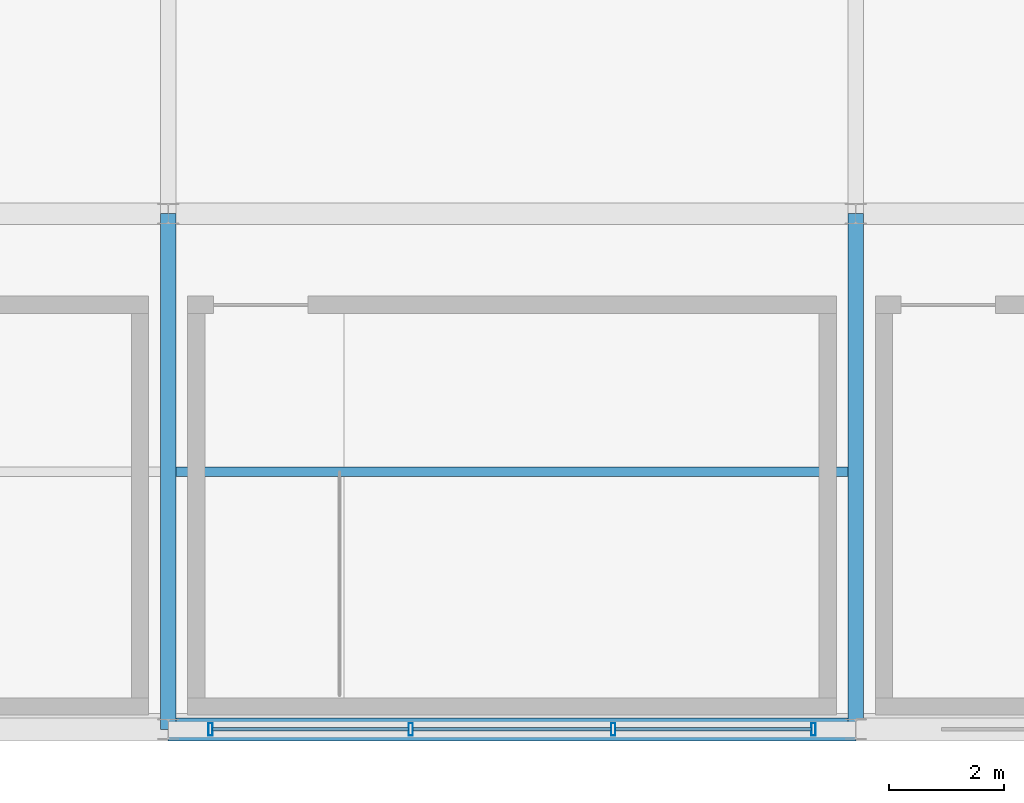
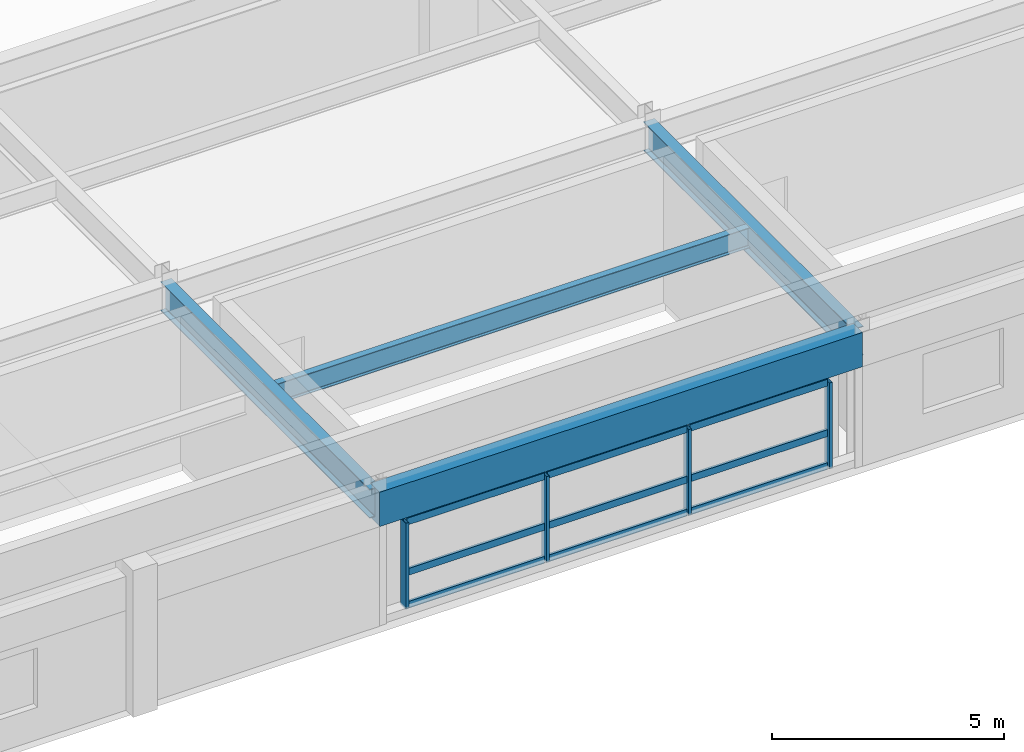
# One storey, part 31 of 108: 13 members, 4 beams, 1 element without a shape of its own.
"""IFC4 building model written with IfcOpenShell, lengths in metres."""

import ifcopenshell
import ifcopenshell.guid

model = None  # the IFC model being written
_history = None  # IfcOwnerHistory: only IFC2X3 demands one
_inside = {}  # id of a spatial element -> (the spatial element, [elements in it])
_under = {}  # id of a project, library or spatial element -> (it, [spatial elements below it])
_declared = {}  # id of a project -> (the project, [libraries it declares])
_typed = {}  # id of a type object -> (the type object, [elements of that type])
_made_of = {}  # id of a material, layer set ... -> (it, [elements and type objects made of it])


def new_model(schema):
    """Start an empty IFC model of exactly this schema.

    Asked for "IFC4X3", IfcOpenShell would pick the latest addendum, in which some entities
    have other attributes; the version numbers below select the first issue.
    IFC2X3 requires an IfcOwnerHistory on every rooted entity: one is made here for all.
    """
    global model, _history
    if schema == "IFC4X3":
        model = ifcopenshell.file(schema_version=(4, 3, 0, 0))
    else:
        model = ifcopenshell.file(schema=schema)
    _inside.clear()
    _under.clear()
    _declared.clear()
    _typed.clear()
    _made_of.clear()
    _history = None
    if model.schema == "IFC2X3":
        org = make("IfcOrganization", Name="unknown")
        user = make(
            "IfcPersonAndOrganization",
            ThePerson=make("IfcPerson", FamilyName="unknown"),
            TheOrganization=org,
        )
        app = make(
            "IfcApplication",
            ApplicationDeveloper=org,
            Version="unknown",
            ApplicationFullName="unknown",
            ApplicationIdentifier="unknown",
        )
        _history = make(
            "IfcOwnerHistory",
            OwningUser=user,
            OwningApplication=app,
            ChangeAction="ADDED",
            CreationDate=0,
        )
    return model


def make(cls, **values):
    """One entity of the class cls with the attributes given. An attribute that is None is left unset."""
    return model.create_entity(
        cls, **{name: value for name, value in values.items() if value is not None}
    )


def rooted(cls, **values):
    """An entity with a GlobalId (a new one), such as an element, a storey or a relation."""
    return make(cls, GlobalId=ifcopenshell.guid.new(), OwnerHistory=_history, **values)


def si_unit(unit_type, name, prefix=None):
    """IfcSIUnit, for example si_unit("LENGTHUNIT", "METRE", prefix="MILLI")."""
    return make("IfcSIUnit", UnitType=unit_type, Prefix=prefix, Name=name)


def assignment(units):
    """IfcUnitAssignment: the units of a project."""
    return None if units is None else make("IfcUnitAssignment", Units=units)


def point(xyz):
    """IfcCartesianPoint."""
    return None if xyz is None else make("IfcCartesianPoint", Coordinates=xyz)


def direction(xyz):
    """IfcDirection."""
    return None if xyz is None else make("IfcDirection", DirectionRatios=xyz)


def frame(location, z_axis=None, x_axis=None):
    """IfcAxis2Placement3D, a coordinate frame: its origin and axes. An axis left out is left unset."""
    return make(
        "IfcAxis2Placement3D",
        Location=point(location),
        Axis=direction(z_axis),
        RefDirection=direction(x_axis),
    )


def frame_2d(location, x_axis=None):
    """IfcAxis2Placement2D, a coordinate frame in the plane: its origin and x axis."""
    return make(
        "IfcAxis2Placement2D", Location=point(location), RefDirection=direction(x_axis)
    )


def origin():
    """The frame at (0, 0, 0) with its axes left unset."""
    return frame((0.0, 0.0, 0.0))


def origin_2d():
    """The frame at (0, 0) in the plane with its x axis left unset."""
    return frame_2d((0.0, 0.0))


def place(relative_to, where):
    """IfcLocalPlacement: puts the frame where relative to a parent placement (None: the world)."""
    return make(
        "IfcLocalPlacement", PlacementRelTo=relative_to, RelativePlacement=where
    )


def context(
    kind, dimensions, precision=None, world=None, true_north=None, identifier=None
):
    """IfcGeometricRepresentationContext, for example the 3D "Model" context."""
    return make(
        "IfcGeometricRepresentationContext",
        ContextIdentifier=identifier,
        ContextType=kind,
        CoordinateSpaceDimension=dimensions,
        Precision=precision,
        WorldCoordinateSystem=world,
        TrueNorth=true_north,
    )


def subcontext(parent, identifier, kind, view, scale=None):
    """IfcGeometricRepresentationSubContext, for example "Body" below "Model"."""
    return make(
        "IfcGeometricRepresentationSubContext",
        ContextIdentifier=identifier,
        ContextType=kind,
        ParentContext=parent,
        TargetScale=scale,
        TargetView=view,
    )


def project(units=None, contexts=None):
    """IfcProject with its units and contexts."""
    return rooted(
        "IfcProject",
        Name="project",
        RepresentationContexts=contexts,
        UnitsInContext=assignment(units),
    )


def spatial(cls, under=None, at=None, **own):
    """A site, building, storey or space (cls), placed at a placement, below another one or the project."""
    s = rooted(cls, ObjectPlacement=at, **own)
    if under is not None:
        _under.setdefault(under.id(), (under, []))[1].append(s)
    return s


def profile(cls, at=None, kind="AREA", **sizes):
    """A parametric profile (cls). Its sizes go by their IFC names, for example OverallWidth=200.0."""
    return make(cls, ProfileType=kind, Position=at, **sizes)


def rectangle(**sizes):
    """IfcRectangleProfileDef."""
    return profile("IfcRectangleProfileDef", **sizes)


def hollow_rectangle(**sizes):
    """IfcRectangleHollowProfileDef."""
    return profile("IfcRectangleHollowProfileDef", **sizes)


def i_section(**sizes):
    """IfcIShapeProfileDef."""
    return profile("IfcIShapeProfileDef", **sizes)


def extrude(swept, where, along, depth):
    """IfcExtrudedAreaSolid: the profile swept, set in the frame where, extruded along a direction by depth."""
    return make(
        "IfcExtrudedAreaSolid",
        SweptArea=swept,
        Position=where,
        ExtrudedDirection=direction(along),
        Depth=depth,
    )


def shape(context_of_items, identifier, shape_type, items):
    """IfcShapeRepresentation: the items that make up one representation, for example the "Body"."""
    return make(
        "IfcShapeRepresentation",
        ContextOfItems=context_of_items,
        RepresentationIdentifier=identifier,
        RepresentationType=shape_type,
        Items=items,
    )


def material(Name=None, Category=None):
    """IfcMaterial."""
    return make("IfcMaterial", Name=Name, Category=Category)


def material_profile(
    of_material, cross_section, Name=None, Category=None, Priority=None
):
    """IfcMaterialProfile: a cross section and its material."""
    return make(
        "IfcMaterialProfile",
        Name=Name,
        Material=of_material,
        Profile=cross_section,
        Priority=Priority,
        Category=Category,
    )


def profile_set(profiles, Name=None, composite=None):
    """IfcMaterialProfileSet."""
    return make(
        "IfcMaterialProfileSet",
        Name=Name,
        MaterialProfiles=profiles,
        CompositeProfile=composite,
    )


def made_of(thing, what):
    """Note that an element or type object is made of a material, layer set ...; save() writes the relation."""
    if what is not None:
        _made_of.setdefault(what.id(), (what, []))[1].append(thing)
    return thing


def type_object(cls, material=None, **own):
    """A type object (cls), such as IfcWallType, which elements share."""
    return made_of(rooted(cls, **own), material)


def element(
    cls,
    number,
    at=None,
    inside=None,
    cuts=None,
    type_object=None,
    material=None,
    context=None,
    identifier="Body",
    shape_type=None,
    held_by="IfcProductDefinitionShape",
    body=None,
    shapes=None,
    **own,
):
    """One element of the class cls, such as IfcWall. Its Tag is "e" and its number.

    at: its placement. inside: the storey or other place that contains it. cuts: it is an
    opening in that element (IfcRelVoidsElement). A single representation is given by context,
    identifier, shape_type and body (its items); several are given by shapes. held_by: the class
    of the entity that holds the representations. save() writes the other relations.
    """
    e = rooted(cls, Tag="e%d" % number, ObjectPlacement=at, **own)
    if body is not None:
        shapes = [shape(context, identifier, shape_type, body)]
    if shapes is not None:
        e.Representation = make(held_by, Representations=shapes)
    if inside is not None:
        _inside.setdefault(inside.id(), (inside, []))[1].append(e)
    if cuts is not None:
        rooted(
            "IfcRelVoidsElement", RelatingBuildingElement=cuts, RelatedOpeningElement=e
        )
    if type_object is not None:
        _typed.setdefault(type_object.id(), (type_object, []))[1].append(e)
    return made_of(e, material)


def aggregate(whole, parts):
    """IfcRelAggregates: a whole, such as a stair, and the parts it consists of."""
    return rooted("IfcRelAggregates", RelatingObject=whole, RelatedObjects=parts)


def save(model, path):
    """Write the relations noted so far, then the file.

    IfcRelAggregates (storeys below a building ...), IfcRelContainedInSpatialStructure (elements
    in a storey), IfcRelDefinesByType, IfcRelAssociatesMaterial and IfcRelDeclares: one each for
    every whole, place, type object, material and project.
    """
    for whole, parts in _under.values():
        aggregate(whole, parts)
    for where, things in _inside.values():
        rooted(
            "IfcRelContainedInSpatialStructure",
            RelatedElements=things,
            RelatingStructure=where,
        )
    for kind, things in _typed.values():
        rooted("IfcRelDefinesByType", RelatedObjects=things, RelatingType=kind)
    for what, things in _made_of.values():
        rooted("IfcRelAssociatesMaterial", RelatedObjects=things, RelatingMaterial=what)
    for by, libraries in _declared.values():
        rooted("IfcRelDeclares", RelatingContext=by, RelatedDefinitions=libraries)
    model.write(path)


model = new_model("IFC4")

# Units and contexts
model_context = context("Model", 3, precision=1e-05, world=origin(), true_north=direction((0.0, 1.0)))
body_context = subcontext(model_context, "Body", "Model", "MODEL_VIEW")
ifc_project = project(units=[si_unit("LENGTHUNIT", "METRE"), si_unit("AREAUNIT", "SQUARE_METRE"), si_unit("VOLUMEUNIT", "CUBIC_METRE"), si_unit("PLANEANGLEUNIT", "RADIAN"), si_unit("MASSUNIT", "GRAM", prefix="KILO")], contexts=[model_context])

# Site, building, storey
site_placement = place(None, origin())
site = spatial("IfcSite", under=ifc_project, at=site_placement, CompositionType="ELEMENT")
building_placement = place(site_placement, origin())
building = spatial("IfcBuilding", under=site, at=building_placement, Name="Kaldorvane Square Convention Centre", CompositionType="ELEMENT")
storey_placement = place(building_placement, frame((0.0, 0.0, 23.399993896484375)))
storey = spatial("IfcBuildingStorey", under=building, at=storey_placement, Name="L04", CompositionType="ELEMENT", Elevation=23.399993896484375)

# Beams
ifc_material_1 = material(Name="Steel ASTM A992 Gr. 50", Category="steel")
ifc_material_profile_1 = material_profile(ifc_material_1, i_section(OverallWidth=0.2666015625, OverallDepth=0.762298583984375, WebThickness=0.014404296875, FlangeThickness=0.0216064453125, FilletRadius=0.0164947509765625, at=origin_2d()), Name="W30X116")
ifc_profile_set_1 = profile_set([ifc_material_profile_1], Name="Steel ASTM A992 Gr. 50")
beam_type_1 = type_object("IfcBeamType", Name="BM-GR-W30X116", PredefinedType="BEAM", material=ifc_profile_set_1)
for number, where, z_axis, x_axis, name in (
    (1, (66.0, 0.0, 3.144805908203125), (0.0, 1.0, 0.0), (-1.0, 0.0, 0.0), "Transverse Girder (L04)"),
    (2, (78.0, 0.0, 3.144805908203125), (0.0, 1.0, 0.0), (-1.0, 0.0, 0.0), "Transverse Girder (L04)"),
):
    element("IfcBeam", number, at=place(storey_placement, frame(where, z_axis=z_axis, x_axis=x_axis)), inside=storey, type_object=beam_type_1, Name=name, PredefinedType="BEAM", context=body_context, shape_type="SweptSolid", body=[
        extrude(i_section(OverallWidth=0.2666015625, OverallDepth=0.762298583984375, WebThickness=0.014404296875, FlangeThickness=0.0216064453125, FilletRadius=0.0164947509765625, at=origin_2d()), origin(), (0.0, 0.0, 1.0), 9.0),
    ])
ifc_material_profile_2 = material_profile(ifc_material_1, i_section(OverallWidth=0.1658935546875, OverallDepth=0.5290985107421875, WebThickness=0.00970458984375, FlangeThickness=0.0135955810546875, FilletRadius=0.0126953125, at=origin_2d()), Name="W21X50")
ifc_profile_set_2 = profile_set([ifc_material_profile_2], Name="Steel ASTM A992 Gr. 50")
beam_type_2 = type_object("IfcBeamType", Name="BM-JS-W21X50", PredefinedType="JOIST", material=ifc_profile_set_2)
beam_1_placement = place(storey_placement, frame((66.13330078125, 4.5, 3.26141357421875), z_axis=(1.0, 0.0, 0.0), x_axis=(0.0, 1.0, 0.0)))
element("IfcBeam", 3, at=beam_1_placement, inside=storey, type_object=beam_type_2, Name="Secondary Floor Joist (L04)", PredefinedType="JOIST", context=body_context, shape_type="SweptSolid", body=[
    extrude(i_section(OverallWidth=0.1658935546875, OverallDepth=0.5290985107421875, WebThickness=0.00970458984375, FlangeThickness=0.0135955810546875, FilletRadius=0.0126953125, at=origin_2d()), origin(), (0.0, 0.0, 1.0), 11.7333984375),
])
ifc_material_2 = material(Name="Concrete f'c = 42 MPa (Normalweight)", Category="concrete")
ifc_material_profile_3 = material_profile(ifc_material_2, rectangle(XDim=0.399993896484375, YDim=0.899993896484375, at=origin_2d()), Name="RCSP900X400")
ifc_profile_set_3 = profile_set([ifc_material_profile_3], Name="Concrete f'c = 42 MPa (Normalweight)")
beam_type_3 = type_object("IfcBeamType", Name="BM-SP-RC900", PredefinedType="SPANDREL", material=ifc_profile_set_3)
beam_2_placement = place(storey_placement, frame((66.0, 0.0, 3.0760040283203125), z_axis=(1.0, 0.0, 0.0), x_axis=(0.0, 1.0, 0.0)))
element("IfcBeam", 4, at=beam_2_placement, inside=storey, type_object=beam_type_3, Name="Perimeter Spandrel (L04)", PredefinedType="SPANDREL", context=body_context, shape_type="SweptSolid", body=[
    extrude(rectangle(XDim=0.399993896484375, YDim=0.899993896484375, at=origin_2d()), origin(), (0.0, 0.0, 1.0), 12.0),
])

# Curtain wall, members
ifc_material_3 = material(Name="Anodized Aluminum and Low-E Insulated Glazing", Category="aluminium")
curtain_wall_type = type_object("IfcCurtainWallType", Name="CW-UNI-P42-12", PredefinedType="USERDEFINED", material=ifc_material_3)
curtain_wall_placement = place(storey_placement, origin())
curtain_wall = element("IfcCurtainWall", 5, at=curtain_wall_placement, inside=storey, type_object=curtain_wall_type, Name="Curtain Wall CW-05 (L04)", ObjectType="UNITISED GLAZING", PredefinedType="USERDEFINED")
ifc_material_profile_4 = material_profile(ifc_material_3, hollow_rectangle(XDim=0.0749969482421875, YDim=0.220001220703125, WallThickness=0.003997802734375, at=origin_2d()), Name="CWM-220X75")
ifc_profile_set_4 = profile_set([ifc_material_profile_4], Name="Anodized Aluminum and Low-E Insulated Glazing")
member_type_1 = type_object("IfcMemberType", Name="CW-MUL-220", PredefinedType="MULLION", material=ifc_profile_set_4)
member_1_placement = place(storey_placement, frame((66.73750305175781, 0.0, 0.1500091552734375), z_axis=(0.0, 0.0, 1.0), x_axis=(1.0, 0.0, 0.0)))
member_1 = element("IfcMember", 6, at=member_1_placement, type_object=member_type_1, Name="CW-05 mullion 1", PredefinedType="MULLION", context=body_context, shape_type="SweptSolid", body=[
    extrude(hollow_rectangle(XDim=0.0749969482421875, YDim=0.220001220703125, WallThickness=0.003997802734375, at=origin_2d()), origin(), (0.0, 0.0, 1.0), 2.2599945068359375),
])
member_2_placement = place(storey_placement, frame((70.23333740234375, 0.0, 0.1500091552734375), z_axis=(0.0, 0.0, 1.0), x_axis=(1.0, 0.0, 0.0)))
member_2 = element("IfcMember", 7, at=member_2_placement, type_object=member_type_1, Name="CW-05 mullion 2", PredefinedType="MULLION", context=body_context, shape_type="SweptSolid", body=[
    extrude(hollow_rectangle(XDim=0.0749969482421875, YDim=0.220001220703125, WallThickness=0.003997802734375, at=origin_2d()), origin(), (0.0, 0.0, 1.0), 2.2599945068359375),
])
member_3_placement = place(storey_placement, frame((73.76666259765625, 0.0, 0.1500091552734375), z_axis=(0.0, 0.0, 1.0), x_axis=(1.0, 0.0, 0.0)))
member_3 = element("IfcMember", 8, at=member_3_placement, type_object=member_type_1, Name="CW-05 mullion 3", PredefinedType="MULLION", context=body_context, shape_type="SweptSolid", body=[
    extrude(hollow_rectangle(XDim=0.0749969482421875, YDim=0.220001220703125, WallThickness=0.003997802734375, at=origin_2d()), origin(), (0.0, 0.0, 1.0), 2.2599945068359375),
])
member_4_placement = place(storey_placement, frame((77.26249694824219, 0.0, 0.1500091552734375), z_axis=(0.0, 0.0, 1.0), x_axis=(1.0, 0.0, 0.0)))
member_4 = element("IfcMember", 9, at=member_4_placement, type_object=member_type_1, Name="CW-05 mullion 4", PredefinedType="MULLION", context=body_context, shape_type="SweptSolid", body=[
    extrude(hollow_rectangle(XDim=0.0749969482421875, YDim=0.220001220703125, WallThickness=0.003997802734375, at=origin_2d()), origin(), (0.0, 0.0, 1.0), 2.2599945068359375),
])
ifc_material_profile_5 = material_profile(ifc_material_3, hollow_rectangle(XDim=0.06500244140625, YDim=0.17999267578125, WallThickness=0.0034942626953125, at=origin_2d()), Name="CWT-180X65")
ifc_profile_set_5 = profile_set([ifc_material_profile_5], Name="Anodized Aluminum and Low-E Insulated Glazing")
member_type_2 = type_object("IfcMemberType", Name="CW-TRN-180", PredefinedType="USERDEFINED", material=ifc_profile_set_5)
member_5_placement = place(storey_placement, frame((66.77499389648438, 0.0, 0.1825103759765625), z_axis=(1.0, 0.0, 0.0), x_axis=(0.0, 1.0, 0.0)))
member_5 = element("IfcMember", 10, at=member_5_placement, type_object=member_type_2, Name="CW-05 transom 1.1", ObjectType="TRANSOM", PredefinedType="USERDEFINED", context=body_context, shape_type="SweptSolid", body=[
    extrude(hollow_rectangle(XDim=0.06500244140625, YDim=0.17999267578125, WallThickness=0.0034942626953125, at=origin_2d()), origin(), (0.0, 0.0, 1.0), 3.42083740234375),
])
member_6_placement = place(storey_placement, frame((66.77499389648438, 0.0, 1.0500030517578125), z_axis=(1.0, 0.0, 0.0), x_axis=(0.0, 1.0, 0.0)))
member_6 = element("IfcMember", 11, at=member_6_placement, type_object=member_type_2, Name="CW-05 transom 1.2", ObjectType="TRANSOM", PredefinedType="USERDEFINED", context=body_context, shape_type="SweptSolid", body=[
    extrude(hollow_rectangle(XDim=0.06500244140625, YDim=0.17999267578125, WallThickness=0.0034942626953125, at=origin_2d()), origin(), (0.0, 0.0, 1.0), 3.42083740234375),
])
member_7_placement = place(storey_placement, frame((66.77499389648438, 0.0, 2.37750244140625), z_axis=(1.0, 0.0, 0.0), x_axis=(0.0, 1.0, 0.0)))
member_7 = element("IfcMember", 12, at=member_7_placement, type_object=member_type_2, Name="CW-05 transom 1.3", ObjectType="TRANSOM", PredefinedType="USERDEFINED", context=body_context, shape_type="SweptSolid", body=[
    extrude(hollow_rectangle(XDim=0.06500244140625, YDim=0.17999267578125, WallThickness=0.0034942626953125, at=origin_2d()), origin(), (0.0, 0.0, 1.0), 3.42083740234375),
])
member_8_placement = place(storey_placement, frame((70.27082824707031, 0.0, 0.1825103759765625), z_axis=(1.0, 0.0, 0.0), x_axis=(0.0, 1.0, 0.0)))
member_8 = element("IfcMember", 13, at=member_8_placement, type_object=member_type_2, Name="CW-05 transom 2.1", ObjectType="TRANSOM", PredefinedType="USERDEFINED", context=body_context, shape_type="SweptSolid", body=[
    extrude(hollow_rectangle(XDim=0.06500244140625, YDim=0.17999267578125, WallThickness=0.0034942626953125, at=origin_2d()), origin(), (0.0, 0.0, 1.0), 3.458343505859375),
])
member_9_placement = place(storey_placement, frame((70.27082824707031, 0.0, 1.0500030517578125), z_axis=(1.0, 0.0, 0.0), x_axis=(0.0, 1.0, 0.0)))
member_9 = element("IfcMember", 14, at=member_9_placement, type_object=member_type_2, Name="CW-05 transom 2.2", ObjectType="TRANSOM", PredefinedType="USERDEFINED", context=body_context, shape_type="SweptSolid", body=[
    extrude(hollow_rectangle(XDim=0.06500244140625, YDim=0.17999267578125, WallThickness=0.0034942626953125, at=origin_2d()), origin(), (0.0, 0.0, 1.0), 3.458343505859375),
])
member_10_placement = place(storey_placement, frame((70.27082824707031, 0.0, 2.37750244140625), z_axis=(1.0, 0.0, 0.0), x_axis=(0.0, 1.0, 0.0)))
member_10 = element("IfcMember", 15, at=member_10_placement, type_object=member_type_2, Name="CW-05 transom 2.3", ObjectType="TRANSOM", PredefinedType="USERDEFINED", context=body_context, shape_type="SweptSolid", body=[
    extrude(hollow_rectangle(XDim=0.06500244140625, YDim=0.17999267578125, WallThickness=0.0034942626953125, at=origin_2d()), origin(), (0.0, 0.0, 1.0), 3.458343505859375),
])
member_11_placement = place(storey_placement, frame((73.80416870117188, 0.0, 0.1825103759765625), z_axis=(1.0, 0.0, 0.0), x_axis=(0.0, 1.0, 0.0)))
member_11 = element("IfcMember", 16, at=member_11_placement, type_object=member_type_2, Name="CW-05 transom 3.1", ObjectType="TRANSOM", PredefinedType="USERDEFINED", context=body_context, shape_type="SweptSolid", body=[
    extrude(hollow_rectangle(XDim=0.06500244140625, YDim=0.17999267578125, WallThickness=0.0034942626953125, at=origin_2d()), origin(), (0.0, 0.0, 1.0), 3.42083740234375),
])
member_12_placement = place(storey_placement, frame((73.80416870117188, 0.0, 1.0500030517578125), z_axis=(1.0, 0.0, 0.0), x_axis=(0.0, 1.0, 0.0)))
member_12 = element("IfcMember", 17, at=member_12_placement, type_object=member_type_2, Name="CW-05 transom 3.2", ObjectType="TRANSOM", PredefinedType="USERDEFINED", context=body_context, shape_type="SweptSolid", body=[
    extrude(hollow_rectangle(XDim=0.06500244140625, YDim=0.17999267578125, WallThickness=0.0034942626953125, at=origin_2d()), origin(), (0.0, 0.0, 1.0), 3.42083740234375),
])
member_13_placement = place(storey_placement, frame((73.80416870117188, 0.0, 2.37750244140625), z_axis=(1.0, 0.0, 0.0), x_axis=(0.0, 1.0, 0.0)))
member_13 = element("IfcMember", 18, at=member_13_placement, type_object=member_type_2, Name="CW-05 transom 3.3", ObjectType="TRANSOM", PredefinedType="USERDEFINED", context=body_context, shape_type="SweptSolid", body=[
    extrude(hollow_rectangle(XDim=0.06500244140625, YDim=0.17999267578125, WallThickness=0.0034942626953125, at=origin_2d()), origin(), (0.0, 0.0, 1.0), 3.42083740234375),
])
aggregate(curtain_wall, [member_1, member_2, member_3, member_4, member_5, member_6, member_7, member_8, member_9, member_10, member_11, member_12, member_13])

save(model, "model.ifc")
